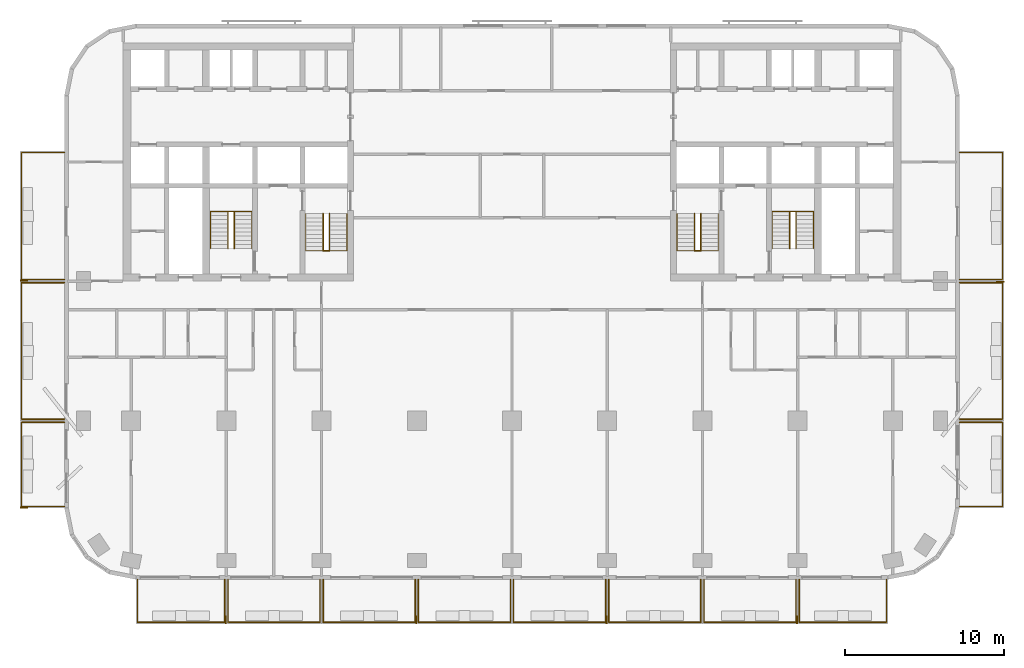
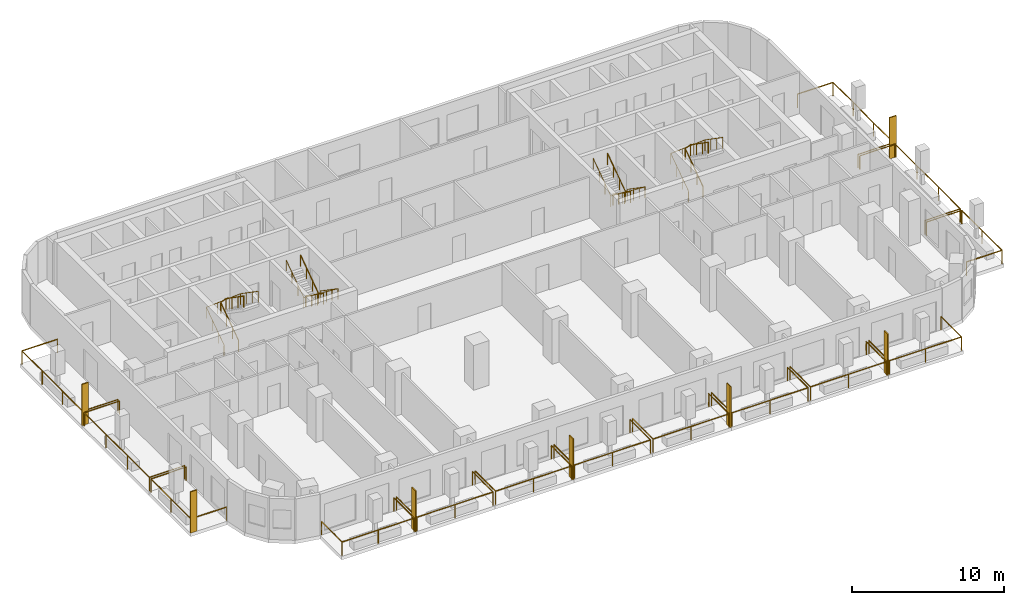
# One storey, part 10 of 12: 22 railings, 7 shading devices.
"""IFC4 building model written with IfcOpenShell, lengths in metres."""

import ifcopenshell
import ifcopenshell.guid

model = None  # the IFC model being written
_history = None  # IfcOwnerHistory: only IFC2X3 demands one
_inside = {}  # id of a spatial element -> (the spatial element, [elements in it])
_under = {}  # id of a project, library or spatial element -> (it, [spatial elements below it])
_declared = {}  # id of a project -> (the project, [libraries it declares])
_typed = {}  # id of a type object -> (the type object, [elements of that type])
_made_of = {}  # id of a material, layer set ... -> (it, [elements and type objects made of it])


def new_model(schema):
    """Start an empty IFC model of exactly this schema.

    Asked for "IFC4X3", IfcOpenShell would pick the latest addendum, in which some entities
    have other attributes; the version numbers below select the first issue.
    IFC2X3 requires an IfcOwnerHistory on every rooted entity: one is made here for all.
    """
    global model, _history
    if schema == "IFC4X3":
        model = ifcopenshell.file(schema_version=(4, 3, 0, 0))
    else:
        model = ifcopenshell.file(schema=schema)
    _inside.clear()
    _under.clear()
    _declared.clear()
    _typed.clear()
    _made_of.clear()
    _history = None
    if model.schema == "IFC2X3":
        org = make("IfcOrganization", Name="unknown")
        user = make(
            "IfcPersonAndOrganization",
            ThePerson=make("IfcPerson", FamilyName="unknown"),
            TheOrganization=org,
        )
        app = make(
            "IfcApplication",
            ApplicationDeveloper=org,
            Version="unknown",
            ApplicationFullName="unknown",
            ApplicationIdentifier="unknown",
        )
        _history = make(
            "IfcOwnerHistory",
            OwningUser=user,
            OwningApplication=app,
            ChangeAction="ADDED",
            CreationDate=0,
        )
    return model


def make(cls, **values):
    """One entity of the class cls with the attributes given. An attribute that is None is left unset."""
    return model.create_entity(
        cls, **{name: value for name, value in values.items() if value is not None}
    )


def rooted(cls, **values):
    """An entity with a GlobalId (a new one), such as an element, a storey or a relation."""
    return make(cls, GlobalId=ifcopenshell.guid.new(), OwnerHistory=_history, **values)


def si_unit(unit_type, name, prefix=None):
    """IfcSIUnit, for example si_unit("LENGTHUNIT", "METRE", prefix="MILLI")."""
    return make("IfcSIUnit", UnitType=unit_type, Prefix=prefix, Name=name)


def assignment(units):
    """IfcUnitAssignment: the units of a project."""
    return None if units is None else make("IfcUnitAssignment", Units=units)


def point(xyz):
    """IfcCartesianPoint."""
    return None if xyz is None else make("IfcCartesianPoint", Coordinates=xyz)


def direction(xyz):
    """IfcDirection."""
    return None if xyz is None else make("IfcDirection", DirectionRatios=xyz)


def frame(location, z_axis=None, x_axis=None):
    """IfcAxis2Placement3D, a coordinate frame: its origin and axes. An axis left out is left unset."""
    return make(
        "IfcAxis2Placement3D",
        Location=point(location),
        Axis=direction(z_axis),
        RefDirection=direction(x_axis),
    )


def frame_2d(location, x_axis=None):
    """IfcAxis2Placement2D, a coordinate frame in the plane: its origin and x axis."""
    return make(
        "IfcAxis2Placement2D", Location=point(location), RefDirection=direction(x_axis)
    )


def origin():
    """The frame at (0, 0, 0) with its axes left unset."""
    return frame((0.0, 0.0, 0.0))


def origin_2d():
    """The frame at (0, 0) in the plane with its x axis left unset."""
    return frame_2d((0.0, 0.0))


def place(relative_to, where):
    """IfcLocalPlacement: puts the frame where relative to a parent placement (None: the world)."""
    return make(
        "IfcLocalPlacement", PlacementRelTo=relative_to, RelativePlacement=where
    )


def context(
    kind, dimensions, precision=None, world=None, true_north=None, identifier=None
):
    """IfcGeometricRepresentationContext, for example the 3D "Model" context."""
    return make(
        "IfcGeometricRepresentationContext",
        ContextIdentifier=identifier,
        ContextType=kind,
        CoordinateSpaceDimension=dimensions,
        Precision=precision,
        WorldCoordinateSystem=world,
        TrueNorth=true_north,
    )


def subcontext(parent, identifier, kind, view, scale=None):
    """IfcGeometricRepresentationSubContext, for example "Body" below "Model"."""
    return make(
        "IfcGeometricRepresentationSubContext",
        ContextIdentifier=identifier,
        ContextType=kind,
        ParentContext=parent,
        TargetScale=scale,
        TargetView=view,
    )


def project(units=None, contexts=None):
    """IfcProject with its units and contexts."""
    return rooted(
        "IfcProject",
        Name="project",
        RepresentationContexts=contexts,
        UnitsInContext=assignment(units),
    )


def spatial(cls, under=None, at=None, **own):
    """A site, building, storey or space (cls), placed at a placement, below another one or the project."""
    s = rooted(cls, ObjectPlacement=at, **own)
    if under is not None:
        _under.setdefault(under.id(), (under, []))[1].append(s)
    return s


def profile(cls, at=None, kind="AREA", **sizes):
    """A parametric profile (cls). Its sizes go by their IFC names, for example OverallWidth=200.0."""
    return make(cls, ProfileType=kind, Position=at, **sizes)


def rectangle(**sizes):
    """IfcRectangleProfileDef."""
    return profile("IfcRectangleProfileDef", **sizes)


def circle(**sizes):
    """IfcCircleProfileDef."""
    return profile("IfcCircleProfileDef", **sizes)


def extrude(swept, where, along, depth):
    """IfcExtrudedAreaSolid: the profile swept, set in the frame where, extruded along a direction by depth."""
    return make(
        "IfcExtrudedAreaSolid",
        SweptArea=swept,
        Position=where,
        ExtrudedDirection=direction(along),
        Depth=depth,
    )


def shape(context_of_items, identifier, shape_type, items):
    """IfcShapeRepresentation: the items that make up one representation, for example the "Body"."""
    return make(
        "IfcShapeRepresentation",
        ContextOfItems=context_of_items,
        RepresentationIdentifier=identifier,
        RepresentationType=shape_type,
        Items=items,
    )


def material(Name=None, Category=None):
    """IfcMaterial."""
    return make("IfcMaterial", Name=Name, Category=Category)


def layer(
    of_material, thickness, ventilated=None, Name=None, Category=None, Priority=None
):
    """IfcMaterialLayer: one layer of a wall or slab, of a material (None: an air gap)."""
    return make(
        "IfcMaterialLayer",
        Material=of_material,
        LayerThickness=thickness,
        IsVentilated=ventilated,
        Name=Name,
        Category=Category,
        Priority=Priority,
    )


def layer_set(layers, Name=None):
    """IfcMaterialLayerSet."""
    return make("IfcMaterialLayerSet", MaterialLayers=layers, LayerSetName=Name)


def made_of(thing, what):
    """Note that an element or type object is made of a material, layer set ...; save() writes the relation."""
    if what is not None:
        _made_of.setdefault(what.id(), (what, []))[1].append(thing)
    return thing


def type_object(cls, material=None, **own):
    """A type object (cls), such as IfcWallType, which elements share."""
    return made_of(rooted(cls, **own), material)


def element(
    cls,
    number,
    at=None,
    inside=None,
    cuts=None,
    type_object=None,
    material=None,
    context=None,
    identifier="Body",
    shape_type=None,
    held_by="IfcProductDefinitionShape",
    body=None,
    shapes=None,
    **own,
):
    """One element of the class cls, such as IfcWall. Its Tag is "e" and its number.

    at: its placement. inside: the storey or other place that contains it. cuts: it is an
    opening in that element (IfcRelVoidsElement). A single representation is given by context,
    identifier, shape_type and body (its items); several are given by shapes. held_by: the class
    of the entity that holds the representations. save() writes the other relations.
    """
    e = rooted(cls, Tag="e%d" % number, ObjectPlacement=at, **own)
    if body is not None:
        shapes = [shape(context, identifier, shape_type, body)]
    if shapes is not None:
        e.Representation = make(held_by, Representations=shapes)
    if inside is not None:
        _inside.setdefault(inside.id(), (inside, []))[1].append(e)
    if cuts is not None:
        rooted(
            "IfcRelVoidsElement", RelatingBuildingElement=cuts, RelatedOpeningElement=e
        )
    if type_object is not None:
        _typed.setdefault(type_object.id(), (type_object, []))[1].append(e)
    return made_of(e, material)


def aggregate(whole, parts):
    """IfcRelAggregates: a whole, such as a stair, and the parts it consists of."""
    return rooted("IfcRelAggregates", RelatingObject=whole, RelatedObjects=parts)


def save(model, path):
    """Write the relations noted so far, then the file.

    IfcRelAggregates (storeys below a building ...), IfcRelContainedInSpatialStructure (elements
    in a storey), IfcRelDefinesByType, IfcRelAssociatesMaterial and IfcRelDeclares: one each for
    every whole, place, type object, material and project.
    """
    for whole, parts in _under.values():
        aggregate(whole, parts)
    for where, things in _inside.values():
        rooted(
            "IfcRelContainedInSpatialStructure",
            RelatedElements=things,
            RelatingStructure=where,
        )
    for kind, things in _typed.values():
        rooted("IfcRelDefinesByType", RelatedObjects=things, RelatingType=kind)
    for what, things in _made_of.values():
        rooted("IfcRelAssociatesMaterial", RelatedObjects=things, RelatingMaterial=what)
    for by, libraries in _declared.values():
        rooted("IfcRelDeclares", RelatingContext=by, RelatedDefinitions=libraries)
    model.write(path)


model = new_model("IFC4")

# Units and contexts
model_context = context("Model", 3, precision=1e-05, world=origin(), true_north=direction((0.0, 1.0)))
body_context = subcontext(model_context, "Body", "Model", "MODEL_VIEW")
ifc_project = project(units=[si_unit("LENGTHUNIT", "METRE"), si_unit("AREAUNIT", "SQUARE_METRE"), si_unit("VOLUMEUNIT", "CUBIC_METRE"), si_unit("PLANEANGLEUNIT", "RADIAN"), si_unit("MASSUNIT", "GRAM", prefix="KILO")], contexts=[model_context])

# Site, building, storey
site_placement = place(None, origin())
site = spatial("IfcSite", under=ifc_project, at=site_placement, CompositionType="ELEMENT")
building_placement = place(site_placement, origin())
building = spatial("IfcBuilding", under=site, at=building_placement, Name="Torana Hotel and Residences", CompositionType="ELEMENT")
storey_placement = place(building_placement, frame((0.0, 0.0, 112.800048828125)))
storey = spatial("IfcBuildingStorey", under=building, at=storey_placement, Name="L28", CompositionType="ELEMENT", Elevation=112.800048828125)

# Shading devices
ifc_material_1 = material(Name="Black powder coated aluminium", Category="aluminium")
ifc_layer = layer(ifc_material_1, 0.080078125)
ifc_layer_set = layer_set([ifc_layer], Name="FN1 VERTICAL FIN 500x80")
shading_device_type = type_object("IfcShadingDeviceType", Name="FN1 VERTICAL FIN 500x80", PredefinedType="USERDEFINED", material=ifc_layer_set)
for number, where, z_axis, x_axis, name in (
    (1, (-18.0400390625, -36.35009765625, 0.0), (0.0, 0.0, 1.0), (-1.0, 0.0, 0.0), "Fin 01"),
    (2, (-6.0400390625, -36.35009765625, 0.0), (0.0, 0.0, 1.0), (-1.0, 0.0, 0.0), "Fin 03"),
    (3, (5.9599609375, -36.35009765625, 0.0), (0.0, 0.0, 1.0), (-1.0, 0.0, 0.0), "Fin 05"),
    (4, (17.9599609375, -36.35009765625, 0.0), (0.0, 0.0, 1.0), (-1.0, 0.0, 0.0), "Fin 07"),
    (5, (-30.75, -29.260009765625, 0.0), (0.0, 0.0, 1.0), (0.0, 1.0, 0.0), "Fin 09"),
    (6, (-30.75, -14.9599609375, 0.0), (0.0, 0.0, 1.0), (0.0, 1.0, 0.0), "Fin 11"),
    (7, (30.75, -15.0400390625, 0.0), (0.0, 0.0, 1.0), (0.0, -1.0, 0.0), "Fin 13"),
):
    element("IfcShadingDevice", number, at=place(storey_placement, frame(where, z_axis=z_axis, x_axis=x_axis)), inside=storey, type_object=shading_device_type, Name=name, ObjectType="FIN", PredefinedType="USERDEFINED", context=body_context, shape_type="SweptSolid", body=[
        extrude(rectangle(XDim=0.080078125, YDim=0.5, at=origin_2d()), origin(), (0.0, 0.0, 1.0), 3.320068359375),
    ])

# Railings
ifc_material_2 = material(Name="Laminated glass balustrade with black handrail", Category="glass")
railing_type_1 = type_object("IfcRailingType", Name="GR1 BALCONY GUARD 1100 GLASS", PredefinedType="GUARDRAIL", material=ifc_material_2)
railing_1_placement = place(storey_placement, frame((-18.10009765625, -33.800048828125, 0.0)))
element("IfcRailing", 8, at=railing_1_placement, inside=storey, type_object=railing_type_1, Name="Balcony guard 01", PredefinedType="GUARDRAIL", context=body_context, shape_type="SweptSolid", body=[
    extrude(circle(Radius=0.02392578125, at=origin_2d()), frame((0.0, 0.0, 1.076171875), z_axis=(0.0, -1.0, 0.0), x_axis=(1.0, 0.0, 0.0)), (0.0, 0.0, 1.0), 2.699951171875),
    extrude(circle(Radius=0.02392578125, at=origin_2d()), frame((0.0, -2.699951171875, 1.076171875), z_axis=(-1.0, 0.0, 0.0), x_axis=(0.0, -1.0, 0.0)), (0.0, 0.0, 1.0), 5.5),
    extrude(circle(Radius=0.02392578125, at=origin_2d()), frame((-5.5, -2.699951171875, 1.076171875), z_axis=(0.0, 1.0, 0.0), x_axis=(-1.0, 0.0, 0.0)), (0.0, 0.0, 1.0), 2.699951171875),
    extrude(circle(Radius=0.02099609375, at=origin_2d()), origin(), (0.0, 0.0, 1.0), 1.052001953125),
    extrude(circle(Radius=0.02099609375, at=origin_2d()), frame((0.0, -2.699951171875, 0.0)), (0.0, 0.0, 1.0), 1.052001953125),
    extrude(circle(Radius=0.02099609375, at=origin_2d()), frame((-2.75, -2.699951171875, 0.0)), (0.0, 0.0, 1.0), 1.052001953125),
    extrude(circle(Radius=0.02099609375, at=origin_2d()), frame((-5.5, -2.699951171875, 0.0)), (0.0, 0.0, 1.0), 1.052001953125),
    extrude(circle(Radius=0.02099609375, at=origin_2d()), frame((-5.5, 0.0, 0.0)), (0.0, 0.0, 1.0), 1.052001953125),
])
for number, where, name in (
    (9, (-12.10009765625, -33.800048828125, 0.0), "Balcony guard 02"),
    (10, (-6.10009765625, -33.800048828125, 0.0), "Balcony guard 03"),
    (11, (-0.10009765625, -33.800048828125, 0.0), "Balcony guard 04"),
    (12, (5.89990234375, -33.800048828125, 0.0), "Balcony guard 05"),
    (13, (11.89990234375, -33.800048828125, 0.0), "Balcony guard 06"),
    (14, (17.89990234375, -33.800048828125, 0.0), "Balcony guard 07"),
):
    element("IfcRailing", number, at=place(storey_placement, frame(where)), inside=storey, type_object=railing_type_1, Name=name, PredefinedType="GUARDRAIL", context=body_context, shape_type="SweptSolid", body=[
        extrude(circle(Radius=0.02392578125, at=origin_2d()), frame((0.0, 0.0, 1.076171875), z_axis=(0.0, -1.0, 0.0), x_axis=(1.0, 0.0, 0.0)), (0.0, 0.0, 1.0), 2.699951171875),
        extrude(circle(Radius=0.02392578125, at=origin_2d()), frame((0.0, -2.699951171875, 1.076171875), z_axis=(-1.0, 0.0, 0.0), x_axis=(0.0, -1.0, 0.0)), (0.0, 0.0, 1.0), 5.7998046875),
        extrude(circle(Radius=0.02392578125, at=origin_2d()), frame((-5.7998046875, -2.699951171875, 1.076171875), z_axis=(0.0, 1.0, 0.0), x_axis=(-1.0, 0.0, 0.0)), (0.0, 0.0, 1.0), 2.699951171875),
        extrude(circle(Radius=0.02099609375, at=origin_2d()), origin(), (0.0, 0.0, 1.0), 1.052001953125),
        extrude(circle(Radius=0.02099609375, at=origin_2d()), frame((0.0, -2.699951171875, 0.0)), (0.0, 0.0, 1.0), 1.052001953125),
        extrude(circle(Radius=0.02099609375, at=origin_2d()), frame((-2.89990234375, -2.699951171875, 0.0)), (0.0, 0.0, 1.0), 1.052001953125),
        extrude(circle(Radius=0.02099609375, at=origin_2d()), frame((-5.7998046875, -2.699951171875, 0.0)), (0.0, 0.0, 1.0), 1.052001953125),
        extrude(circle(Radius=0.02099609375, at=origin_2d()), frame((-5.7998046875, 0.0, 0.0)), (0.0, 0.0, 1.0), 1.052001953125),
    ])
railing_2_placement = place(storey_placement, frame((23.60009765625, -33.800048828125, 0.0)))
element("IfcRailing", 15, at=railing_2_placement, inside=storey, type_object=railing_type_1, Name="Balcony guard 08", PredefinedType="GUARDRAIL", context=body_context, shape_type="SweptSolid", body=[
    extrude(circle(Radius=0.02392578125, at=origin_2d()), frame((0.0, 0.0, 1.076171875), z_axis=(0.0, -1.0, 0.0), x_axis=(1.0, 0.0, 0.0)), (0.0, 0.0, 1.0), 2.699951171875),
    extrude(circle(Radius=0.02392578125, at=origin_2d()), frame((0.0, -2.699951171875, 1.076171875), z_axis=(-1.0, 0.0, 0.0), x_axis=(0.0, -1.0, 0.0)), (0.0, 0.0, 1.0), 5.5),
    extrude(circle(Radius=0.02392578125, at=origin_2d()), frame((-5.5, -2.699951171875, 1.076171875), z_axis=(0.0, 1.0, 0.0), x_axis=(-1.0, 0.0, 0.0)), (0.0, 0.0, 1.0), 2.699951171875),
    extrude(circle(Radius=0.02099609375, at=origin_2d()), origin(), (0.0, 0.0, 1.0), 1.052001953125),
    extrude(circle(Radius=0.02099609375, at=origin_2d()), frame((0.0, -2.699951171875, 0.0)), (0.0, 0.0, 1.0), 1.052001953125),
    extrude(circle(Radius=0.02099609375, at=origin_2d()), frame((-2.75, -2.699951171875, 0.0)), (0.0, 0.0, 1.0), 1.052001953125),
    extrude(circle(Radius=0.02099609375, at=origin_2d()), frame((-5.5, -2.699951171875, 0.0)), (0.0, 0.0, 1.0), 1.052001953125),
    extrude(circle(Radius=0.02099609375, at=origin_2d()), frame((-5.5, 0.0, 0.0)), (0.0, 0.0, 1.0), 1.052001953125),
])
railing_3_placement = place(storey_placement, frame((-28.199951171875, -29.199951171875, 0.0)))
element("IfcRailing", 16, at=railing_3_placement, inside=storey, type_object=railing_type_1, Name="Balcony guard 09", PredefinedType="GUARDRAIL", context=body_context, shape_type="SweptSolid", body=[
    extrude(circle(Radius=0.02392578125, at=origin_2d()), frame((0.0, 0.0, 1.076171875), z_axis=(-1.0, 0.0, 0.0), x_axis=(0.0, -1.0, 0.0)), (0.0, 0.0, 1.0), 2.699951171875),
    extrude(circle(Radius=0.02392578125, at=origin_2d()), frame((-2.699951171875, 0.0, 1.076171875), z_axis=(0.0, 1.0, 0.0), x_axis=(-1.0, 0.0, 0.0)), (0.0, 0.0, 1.0), 5.300048828125),
    extrude(circle(Radius=0.02392578125, at=origin_2d()), frame((-2.699951171875, 5.300048828125, 1.076171875), z_axis=(1.0, 0.0, 0.0), x_axis=(0.0, 1.0, 0.0)), (0.0, 0.0, 1.0), 2.699951171875),
    extrude(circle(Radius=0.02099609375, at=origin_2d()), origin(), (0.0, 0.0, 1.0), 1.052001953125),
    extrude(circle(Radius=0.02099609375, at=origin_2d()), frame((-2.699951171875, 0.0, 0.0)), (0.0, 0.0, 1.0), 1.052001953125),
    extrude(circle(Radius=0.02099609375, at=origin_2d()), frame((-2.699951171875, 2.64990234375, 0.0)), (0.0, 0.0, 1.0), 1.052001953125),
    extrude(circle(Radius=0.02099609375, at=origin_2d()), frame((-2.699951171875, 5.300048828125, 0.0)), (0.0, 0.0, 1.0), 1.052001953125),
    extrude(circle(Radius=0.02099609375, at=origin_2d()), frame((0.0, 5.300048828125, 0.0)), (0.0, 0.0, 1.0), 1.052001953125),
])
railing_4_placement = place(storey_placement, frame((-28.199951171875, -23.699951171875, 0.0)))
element("IfcRailing", 17, at=railing_4_placement, inside=storey, type_object=railing_type_1, Name="Balcony guard 10", PredefinedType="GUARDRAIL", context=body_context, shape_type="SweptSolid", body=[
    extrude(circle(Radius=0.02392578125, at=origin_2d()), frame((0.0, 0.0, 1.076171875), z_axis=(-1.0, 0.0, 0.0), x_axis=(0.0, -1.0, 0.0)), (0.0, 0.0, 1.0), 2.699951171875),
    extrude(circle(Radius=0.02392578125, at=origin_2d()), frame((-2.699951171875, 0.0, 1.076171875), z_axis=(0.0, 1.0, 0.0), x_axis=(-1.0, 0.0, 0.0)), (0.0, 0.0, 1.0), 8.599853515625),
    extrude(circle(Radius=0.02392578125, at=origin_2d()), frame((-2.699951171875, 8.599853515625, 1.076171875), z_axis=(1.0, 0.0, 0.0), x_axis=(0.0, 1.0, 0.0)), (0.0, 0.0, 1.0), 2.699951171875),
    extrude(circle(Radius=0.02099609375, at=origin_2d()), origin(), (0.0, 0.0, 1.0), 1.052001953125),
    extrude(circle(Radius=0.02099609375, at=origin_2d()), frame((-2.699951171875, 0.0, 0.0)), (0.0, 0.0, 1.0), 1.052001953125),
    extrude(circle(Radius=0.02099609375, at=origin_2d()), frame((-2.699951171875, 2.86669921875, 0.0)), (0.0, 0.0, 1.0), 1.052001953125),
    extrude(circle(Radius=0.02099609375, at=origin_2d()), frame((-2.699951171875, 5.733154296875, 0.0)), (0.0, 0.0, 1.0), 1.052001953125),
    extrude(circle(Radius=0.02099609375, at=origin_2d()), frame((-2.699951171875, 8.599853515625, 0.0)), (0.0, 0.0, 1.0), 1.052001953125),
    extrude(circle(Radius=0.02099609375, at=origin_2d()), frame((0.0, 8.599853515625, 0.0)), (0.0, 0.0, 1.0), 1.052001953125),
])
railing_5_placement = place(storey_placement, frame((-28.199951171875, -14.89990234375, 0.0)))
element("IfcRailing", 18, at=railing_5_placement, inside=storey, type_object=railing_type_1, Name="Balcony guard 11", PredefinedType="GUARDRAIL", context=body_context, shape_type="SweptSolid", body=[
    extrude(circle(Radius=0.02392578125, at=origin_2d()), frame((0.0, 0.0, 1.076171875), z_axis=(-1.0, 0.0, 0.0), x_axis=(0.0, -1.0, 0.0)), (0.0, 0.0, 1.0), 2.699951171875),
    extrude(circle(Radius=0.02392578125, at=origin_2d()), frame((-2.699951171875, 0.0, 1.076171875), z_axis=(0.0, 1.0, 0.0), x_axis=(-1.0, 0.0, 0.0)), (0.0, 0.0, 1.0), 8.0),
    extrude(circle(Radius=0.02392578125, at=origin_2d()), frame((-2.699951171875, 8.0, 1.076171875), z_axis=(1.0, 0.0, 0.0), x_axis=(0.0, 1.0, 0.0)), (0.0, 0.0, 1.0), 2.699951171875),
    extrude(circle(Radius=0.02099609375, at=origin_2d()), origin(), (0.0, 0.0, 1.0), 1.052001953125),
    extrude(circle(Radius=0.02099609375, at=origin_2d()), frame((-2.699951171875, 0.0, 0.0)), (0.0, 0.0, 1.0), 1.052001953125),
    extrude(circle(Radius=0.02099609375, at=origin_2d()), frame((-2.699951171875, 2.666748046875, 0.0)), (0.0, 0.0, 1.0), 1.052001953125),
    extrude(circle(Radius=0.02099609375, at=origin_2d()), frame((-2.699951171875, 5.333251953125, 0.0)), (0.0, 0.0, 1.0), 1.052001953125),
    extrude(circle(Radius=0.02099609375, at=origin_2d()), frame((-2.699951171875, 8.0, 0.0)), (0.0, 0.0, 1.0), 1.052001953125),
    extrude(circle(Radius=0.02099609375, at=origin_2d()), frame((0.0, 8.0, 0.0)), (0.0, 0.0, 1.0), 1.052001953125),
])
railing_6_placement = place(storey_placement, frame((28.199951171875, -23.89990234375, 0.0)))
element("IfcRailing", 19, at=railing_6_placement, inside=storey, type_object=railing_type_1, Name="Balcony guard 12", PredefinedType="GUARDRAIL", context=body_context, shape_type="SweptSolid", body=[
    extrude(circle(Radius=0.02392578125, at=origin_2d()), frame((0.0, 0.0, 1.076171875), z_axis=(1.0, 0.0, 0.0), x_axis=(0.0, 1.0, 0.0)), (0.0, 0.0, 1.0), 2.699951171875),
    extrude(circle(Radius=0.02392578125, at=origin_2d()), frame((2.699951171875, 0.0, 1.076171875), z_axis=(0.0, -1.0, 0.0), x_axis=(1.0, 0.0, 0.0)), (0.0, 0.0, 1.0), 5.300048828125),
    extrude(circle(Radius=0.02392578125, at=origin_2d()), frame((2.699951171875, -5.300048828125, 1.076171875), z_axis=(-1.0, 0.0, 0.0), x_axis=(0.0, -1.0, 0.0)), (0.0, 0.0, 1.0), 2.699951171875),
    extrude(circle(Radius=0.02099609375, at=origin_2d()), origin(), (0.0, 0.0, 1.0), 1.052001953125),
    extrude(circle(Radius=0.02099609375, at=origin_2d()), frame((2.699951171875, 0.0, 0.0)), (0.0, 0.0, 1.0), 1.052001953125),
    extrude(circle(Radius=0.02099609375, at=origin_2d()), frame((2.699951171875, -2.64990234375, 0.0)), (0.0, 0.0, 1.0), 1.052001953125),
    extrude(circle(Radius=0.02099609375, at=origin_2d()), frame((2.699951171875, -5.300048828125, 0.0)), (0.0, 0.0, 1.0), 1.052001953125),
    extrude(circle(Radius=0.02099609375, at=origin_2d()), frame((0.0, -5.300048828125, 0.0)), (0.0, 0.0, 1.0), 1.052001953125),
])
railing_7_placement = place(storey_placement, frame((28.199951171875, -15.10009765625, 0.0)))
element("IfcRailing", 20, at=railing_7_placement, inside=storey, type_object=railing_type_1, Name="Balcony guard 13", PredefinedType="GUARDRAIL", context=body_context, shape_type="SweptSolid", body=[
    extrude(circle(Radius=0.02392578125, at=origin_2d()), frame((0.0, 0.0, 1.076171875), z_axis=(1.0, 0.0, 0.0), x_axis=(0.0, 1.0, 0.0)), (0.0, 0.0, 1.0), 2.699951171875),
    extrude(circle(Radius=0.02392578125, at=origin_2d()), frame((2.699951171875, 0.0, 1.076171875), z_axis=(0.0, -1.0, 0.0), x_axis=(1.0, 0.0, 0.0)), (0.0, 0.0, 1.0), 8.599853515625),
    extrude(circle(Radius=0.02392578125, at=origin_2d()), frame((2.699951171875, -8.599853515625, 1.076171875), z_axis=(-1.0, 0.0, 0.0), x_axis=(0.0, -1.0, 0.0)), (0.0, 0.0, 1.0), 2.699951171875),
    extrude(circle(Radius=0.02099609375, at=origin_2d()), origin(), (0.0, 0.0, 1.0), 1.052001953125),
    extrude(circle(Radius=0.02099609375, at=origin_2d()), frame((2.699951171875, 0.0, 0.0)), (0.0, 0.0, 1.0), 1.052001953125),
    extrude(circle(Radius=0.02099609375, at=origin_2d()), frame((2.699951171875, -2.86669921875, 0.0)), (0.0, 0.0, 1.0), 1.052001953125),
    extrude(circle(Radius=0.02099609375, at=origin_2d()), frame((2.699951171875, -5.733154296875, 0.0)), (0.0, 0.0, 1.0), 1.052001953125),
    extrude(circle(Radius=0.02099609375, at=origin_2d()), frame((2.699951171875, -8.599853515625, 0.0)), (0.0, 0.0, 1.0), 1.052001953125),
    extrude(circle(Radius=0.02099609375, at=origin_2d()), frame((0.0, -8.599853515625, 0.0)), (0.0, 0.0, 1.0), 1.052001953125),
])
railing_8_placement = place(storey_placement, frame((28.199951171875, -6.89990234375, 0.0)))
element("IfcRailing", 21, at=railing_8_placement, inside=storey, type_object=railing_type_1, Name="Balcony guard 14", PredefinedType="GUARDRAIL", context=body_context, shape_type="SweptSolid", body=[
    extrude(circle(Radius=0.02392578125, at=origin_2d()), frame((0.0, 0.0, 1.076171875), z_axis=(1.0, 0.0, 0.0), x_axis=(0.0, 1.0, 0.0)), (0.0, 0.0, 1.0), 2.699951171875),
    extrude(circle(Radius=0.02392578125, at=origin_2d()), frame((2.699951171875, 0.0, 1.076171875), z_axis=(0.0, -1.0, 0.0), x_axis=(1.0, 0.0, 0.0)), (0.0, 0.0, 1.0), 8.0),
    extrude(circle(Radius=0.02392578125, at=origin_2d()), frame((2.699951171875, -8.0, 1.076171875), z_axis=(-1.0, 0.0, 0.0), x_axis=(0.0, -1.0, 0.0)), (0.0, 0.0, 1.0), 2.699951171875),
    extrude(circle(Radius=0.02099609375, at=origin_2d()), origin(), (0.0, 0.0, 1.0), 1.052001953125),
    extrude(circle(Radius=0.02099609375, at=origin_2d()), frame((2.699951171875, 0.0, 0.0)), (0.0, 0.0, 1.0), 1.052001953125),
    extrude(circle(Radius=0.02099609375, at=origin_2d()), frame((2.699951171875, -2.666748046875, 0.0)), (0.0, 0.0, 1.0), 1.052001953125),
    extrude(circle(Radius=0.02099609375, at=origin_2d()), frame((2.699951171875, -5.333251953125, 0.0)), (0.0, 0.0, 1.0), 1.052001953125),
    extrude(circle(Radius=0.02099609375, at=origin_2d()), frame((2.699951171875, -8.0, 0.0)), (0.0, 0.0, 1.0), 1.052001953125),
    extrude(circle(Radius=0.02099609375, at=origin_2d()), frame((0.0, -8.0, 0.0)), (0.0, 0.0, 1.0), 1.052001953125),
])
ifc_material_3 = material(Name="Stainless steel 316", Category="steel")
railing_type_2 = type_object("IfcRailingType", Name="STAIR HANDRAIL HR1 900", PredefinedType="HANDRAIL", material=ifc_material_3)
railing_9_placement = place(storey_placement, frame((-10.39990234375, -10.75, 0.179931640625)))
element("IfcRailing", 22, at=railing_9_placement, inside=storey, type_object=railing_type_2, Name="Handrail ST1 L28 O1", PredefinedType="HANDRAIL", context=body_context, shape_type="SweptSolid", body=[
    extrude(circle(Radius=0.02392578125, at=origin_2d()), frame((0.0, 0.0, 0.8759765625), z_axis=(0.0, -0.822182927502, 0.569223360136), x_axis=(1.0, 0.0, 0.0)), (0.0, 0.0, 1.0), 2.84619140625),
    extrude(circle(Radius=0.02392578125, at=origin_2d()), frame((0.0, -2.340087890625, 2.49609375), z_axis=(-0.997614115953, 0.0, 0.069036770278), x_axis=(0.0, -1.0, 0.0)), (0.0, 0.0, 1.0), 2.606201171875),
    extrude(circle(Radius=0.02392578125, at=origin_2d()), frame((-2.60009765625, -2.340087890625, 2.67578125), z_axis=(0.0, 0.822223072051, 0.569165371211), x_axis=(-1.0, 0.0, 0.0)), (0.0, 0.0, 1.0), 2.845947265625),
    extrude(circle(Radius=0.02099609375, at=origin_2d()), origin(), (0.0, 0.0, 1.0), 0.851806640625),
    extrude(circle(Radius=0.02099609375, at=origin_2d()), frame((0.0, -0.780029296875, 0.5400390625)), (0.0, 0.0, 1.0), 0.851806640625),
    extrude(circle(Radius=0.02099609375, at=origin_2d()), frame((0.0, -1.56005859375, 1.080078125)), (0.0, 0.0, 1.0), 0.851806640625),
    extrude(circle(Radius=0.02099609375, at=origin_2d()), frame((0.0, -2.340087890625, 1.6201171875)), (0.0, 0.0, 1.0), 0.851806640625),
    extrude(circle(Radius=0.02099609375, at=origin_2d()), frame((-0.86669921875, -2.340087890625, 1.68017578125)), (0.0, 0.0, 1.0), 0.851806640625),
    extrude(circle(Radius=0.02099609375, at=origin_2d()), frame((-1.7333984375, -2.340087890625, 1.739990234375)), (0.0, 0.0, 1.0), 0.851806640625),
    extrude(circle(Radius=0.02099609375, at=origin_2d()), frame((-2.60009765625, -2.340087890625, 1.800048828125)), (0.0, 0.0, 1.0), 0.851806640625),
    extrude(circle(Radius=0.02099609375, at=origin_2d()), frame((-2.60009765625, -1.56005859375, 2.340087890625)), (0.0, 0.0, 1.0), 0.851806640625),
    extrude(circle(Radius=0.02099609375, at=origin_2d()), frame((-2.60009765625, -0.780029296875, 2.8798828125)), (0.0, 0.0, 1.0), 0.851806640625),
    extrude(circle(Radius=0.02099609375, at=origin_2d()), frame((-2.60009765625, 0.0, 3.419921875)), (0.0, 0.0, 1.0), 0.851806640625),
])
railing_10_placement = place(storey_placement, frame((-11.5, -10.75, 0.179931640625)))
element("IfcRailing", 23, at=railing_10_placement, inside=storey, type_object=railing_type_2, Name="Handrail ST1 L28 I1", PredefinedType="HANDRAIL", context=body_context, shape_type="SweptSolid", body=[
    extrude(circle(Radius=0.02392578125, at=origin_2d()), frame((0.0, 0.0, 0.8759765625), z_axis=(0.0, -0.822182927502, 0.569223360136), x_axis=(1.0, 0.0, 0.0)), (0.0, 0.0, 1.0), 2.84619140625),
    extrude(circle(Radius=0.02392578125, at=origin_2d()), frame((0.0, -2.340087890625, 2.49609375), z_axis=(-0.911942338396, 0.0, 0.410318378143), x_axis=(0.0, -1.0, 0.0)), (0.0, 0.0, 1.0), 0.4384765625),
    extrude(circle(Radius=0.02392578125, at=origin_2d()), frame((-0.39990234375, -2.340087890625, 2.67578125), z_axis=(0.0, 0.822223072051, 0.569165371211), x_axis=(-1.0, 0.0, 0.0)), (0.0, 0.0, 1.0), 2.845947265625),
    extrude(circle(Radius=0.02099609375, at=origin_2d()), origin(), (0.0, 0.0, 1.0), 0.851806640625),
    extrude(circle(Radius=0.02099609375, at=origin_2d()), frame((0.0, -0.780029296875, 0.5400390625)), (0.0, 0.0, 1.0), 0.851806640625),
    extrude(circle(Radius=0.02099609375, at=origin_2d()), frame((0.0, -1.56005859375, 1.080078125)), (0.0, 0.0, 1.0), 0.851806640625),
    extrude(circle(Radius=0.02099609375, at=origin_2d()), frame((0.0, -2.340087890625, 1.6201171875)), (0.0, 0.0, 1.0), 0.851806640625),
    extrude(circle(Radius=0.02099609375, at=origin_2d()), frame((-0.39990234375, -2.340087890625, 1.800048828125)), (0.0, 0.0, 1.0), 0.851806640625),
    extrude(circle(Radius=0.02099609375, at=origin_2d()), frame((-0.39990234375, -1.56005859375, 2.340087890625)), (0.0, 0.0, 1.0), 0.851806640625),
    extrude(circle(Radius=0.02099609375, at=origin_2d()), frame((-0.39990234375, -0.780029296875, 2.8798828125)), (0.0, 0.0, 1.0), 0.851806640625),
    extrude(circle(Radius=0.02099609375, at=origin_2d()), frame((-0.39990234375, 0.0, 3.419921875)), (0.0, 0.0, 1.0), 0.851806640625),
])
railing_11_placement = place(storey_placement, frame((-19.0, -12.949951171875, 0.179931640625)))
element("IfcRailing", 24, at=railing_11_placement, inside=storey, type_object=railing_type_2, Name="Handrail ST2 L28 O1", PredefinedType="HANDRAIL", context=body_context, shape_type="SweptSolid", body=[
    extrude(circle(Radius=0.02392578125, at=origin_2d()), frame((0.0, 0.0, 0.8759765625), z_axis=(0.0, 0.822155131156, 0.569263506923), x_axis=(-1.0, 0.0, 0.0)), (0.0, 0.0, 1.0), 2.845947265625),
    extrude(circle(Radius=0.02392578125, at=origin_2d()), frame((0.0, 2.33984375, 2.49609375), z_axis=(0.997614115953, 0.0, 0.069036770278), x_axis=(0.0, 1.0, 0.0)), (0.0, 0.0, 1.0), 2.606201171875),
    extrude(circle(Radius=0.02392578125, at=origin_2d()), frame((2.60009765625, 2.33984375, 2.67578125), z_axis=(0.0, -0.822195280011, 0.569205517829), x_axis=(1.0, 0.0, 0.0)), (0.0, 0.0, 1.0), 2.845947265625),
    extrude(circle(Radius=0.02099609375, at=origin_2d()), origin(), (0.0, 0.0, 1.0), 0.851806640625),
    extrude(circle(Radius=0.02099609375, at=origin_2d()), frame((0.0, 0.780029296875, 0.5400390625)), (0.0, 0.0, 1.0), 0.851806640625),
    extrude(circle(Radius=0.02099609375, at=origin_2d()), frame((0.0, 1.559814453125, 1.080078125)), (0.0, 0.0, 1.0), 0.851806640625),
    extrude(circle(Radius=0.02099609375, at=origin_2d()), frame((0.0, 2.33984375, 1.6201171875)), (0.0, 0.0, 1.0), 0.851806640625),
    extrude(circle(Radius=0.02099609375, at=origin_2d()), frame((0.86669921875, 2.33984375, 1.68017578125)), (0.0, 0.0, 1.0), 0.851806640625),
    extrude(circle(Radius=0.02099609375, at=origin_2d()), frame((1.7333984375, 2.33984375, 1.739990234375)), (0.0, 0.0, 1.0), 0.851806640625),
    extrude(circle(Radius=0.02099609375, at=origin_2d()), frame((2.60009765625, 2.33984375, 1.800048828125)), (0.0, 0.0, 1.0), 0.851806640625),
    extrude(circle(Radius=0.02099609375, at=origin_2d()), frame((2.60009765625, 1.559814453125, 2.340087890625)), (0.0, 0.0, 1.0), 0.851806640625),
    extrude(circle(Radius=0.02099609375, at=origin_2d()), frame((2.60009765625, 0.780029296875, 2.8798828125)), (0.0, 0.0, 1.0), 0.851806640625),
    extrude(circle(Radius=0.02099609375, at=origin_2d()), frame((2.60009765625, 0.0, 3.419921875)), (0.0, 0.0, 1.0), 0.851806640625),
])
railing_12_placement = place(storey_placement, frame((-17.89990234375, -12.949951171875, 0.179931640625)))
element("IfcRailing", 25, at=railing_12_placement, inside=storey, type_object=railing_type_2, Name="Handrail ST2 L28 I1", PredefinedType="HANDRAIL", context=body_context, shape_type="SweptSolid", body=[
    extrude(circle(Radius=0.02392578125, at=origin_2d()), frame((0.0, 0.0, 0.8759765625), z_axis=(0.0, 0.822155131156, 0.569263506923), x_axis=(-1.0, 0.0, 0.0)), (0.0, 0.0, 1.0), 2.845947265625),
    extrude(circle(Radius=0.02392578125, at=origin_2d()), frame((0.0, 2.33984375, 2.49609375), z_axis=(0.911942338396, 0.0, 0.410318378143), x_axis=(0.0, 1.0, 0.0)), (0.0, 0.0, 1.0), 0.4384765625),
    extrude(circle(Radius=0.02392578125, at=origin_2d()), frame((0.39990234375, 2.33984375, 2.67578125), z_axis=(0.0, -0.822195280011, 0.569205517829), x_axis=(1.0, 0.0, 0.0)), (0.0, 0.0, 1.0), 2.845947265625),
    extrude(circle(Radius=0.02099609375, at=origin_2d()), origin(), (0.0, 0.0, 1.0), 0.851806640625),
    extrude(circle(Radius=0.02099609375, at=origin_2d()), frame((0.0, 0.780029296875, 0.5400390625)), (0.0, 0.0, 1.0), 0.851806640625),
    extrude(circle(Radius=0.02099609375, at=origin_2d()), frame((0.0, 1.559814453125, 1.080078125)), (0.0, 0.0, 1.0), 0.851806640625),
    extrude(circle(Radius=0.02099609375, at=origin_2d()), frame((0.0, 2.33984375, 1.6201171875)), (0.0, 0.0, 1.0), 0.851806640625),
    extrude(circle(Radius=0.02099609375, at=origin_2d()), frame((0.39990234375, 2.33984375, 1.800048828125)), (0.0, 0.0, 1.0), 0.851806640625),
    extrude(circle(Radius=0.02099609375, at=origin_2d()), frame((0.39990234375, 1.559814453125, 2.340087890625)), (0.0, 0.0, 1.0), 0.851806640625),
    extrude(circle(Radius=0.02099609375, at=origin_2d()), frame((0.39990234375, 0.780029296875, 2.8798828125)), (0.0, 0.0, 1.0), 0.851806640625),
    extrude(circle(Radius=0.02099609375, at=origin_2d()), frame((0.39990234375, 0.0, 3.419921875)), (0.0, 0.0, 1.0), 0.851806640625),
])
railing_13_placement = place(storey_placement, frame((13.0, -10.75, 0.179931640625)))
element("IfcRailing", 26, at=railing_13_placement, inside=storey, type_object=railing_type_2, Name="Handrail ST3 L28 O1", PredefinedType="HANDRAIL", context=body_context, shape_type="SweptSolid", body=[
    extrude(circle(Radius=0.02392578125, at=origin_2d()), frame((0.0, 0.0, 0.8759765625), z_axis=(0.0, -0.822182927502, 0.569223360136), x_axis=(1.0, 0.0, 0.0)), (0.0, 0.0, 1.0), 2.84619140625),
    extrude(circle(Radius=0.02392578125, at=origin_2d()), frame((0.0, -2.340087890625, 2.49609375), z_axis=(-0.997614115953, 0.0, 0.069036770278), x_axis=(0.0, -1.0, 0.0)), (0.0, 0.0, 1.0), 2.606201171875),
    extrude(circle(Radius=0.02392578125, at=origin_2d()), frame((-2.60009765625, -2.340087890625, 2.67578125), z_axis=(0.0, 0.822223072051, 0.569165371211), x_axis=(-1.0, 0.0, 0.0)), (0.0, 0.0, 1.0), 2.845947265625),
    extrude(circle(Radius=0.02099609375, at=origin_2d()), origin(), (0.0, 0.0, 1.0), 0.851806640625),
    extrude(circle(Radius=0.02099609375, at=origin_2d()), frame((0.0, -0.780029296875, 0.5400390625)), (0.0, 0.0, 1.0), 0.851806640625),
    extrude(circle(Radius=0.02099609375, at=origin_2d()), frame((0.0, -1.56005859375, 1.080078125)), (0.0, 0.0, 1.0), 0.851806640625),
    extrude(circle(Radius=0.02099609375, at=origin_2d()), frame((0.0, -2.340087890625, 1.6201171875)), (0.0, 0.0, 1.0), 0.851806640625),
    extrude(circle(Radius=0.02099609375, at=origin_2d()), frame((-0.86669921875, -2.340087890625, 1.68017578125)), (0.0, 0.0, 1.0), 0.851806640625),
    extrude(circle(Radius=0.02099609375, at=origin_2d()), frame((-1.7333984375, -2.340087890625, 1.739990234375)), (0.0, 0.0, 1.0), 0.851806640625),
    extrude(circle(Radius=0.02099609375, at=origin_2d()), frame((-2.60009765625, -2.340087890625, 1.800048828125)), (0.0, 0.0, 1.0), 0.851806640625),
    extrude(circle(Radius=0.02099609375, at=origin_2d()), frame((-2.60009765625, -1.56005859375, 2.340087890625)), (0.0, 0.0, 1.0), 0.851806640625),
    extrude(circle(Radius=0.02099609375, at=origin_2d()), frame((-2.60009765625, -0.780029296875, 2.8798828125)), (0.0, 0.0, 1.0), 0.851806640625),
    extrude(circle(Radius=0.02099609375, at=origin_2d()), frame((-2.60009765625, 0.0, 3.419921875)), (0.0, 0.0, 1.0), 0.851806640625),
])
railing_14_placement = place(storey_placement, frame((11.89990234375, -10.75, 0.179931640625)))
element("IfcRailing", 27, at=railing_14_placement, inside=storey, type_object=railing_type_2, Name="Handrail ST3 L28 I1", PredefinedType="HANDRAIL", context=body_context, shape_type="SweptSolid", body=[
    extrude(circle(Radius=0.02392578125, at=origin_2d()), frame((0.0, 0.0, 0.8759765625), z_axis=(0.0, -0.822182927502, 0.569223360136), x_axis=(1.0, 0.0, 0.0)), (0.0, 0.0, 1.0), 2.84619140625),
    extrude(circle(Radius=0.02392578125, at=origin_2d()), frame((0.0, -2.340087890625, 2.49609375), z_axis=(-0.911942338396, 0.0, 0.410318378143), x_axis=(0.0, -1.0, 0.0)), (0.0, 0.0, 1.0), 0.4384765625),
    extrude(circle(Radius=0.02392578125, at=origin_2d()), frame((-0.39990234375, -2.340087890625, 2.67578125), z_axis=(0.0, 0.822223072051, 0.569165371211), x_axis=(-1.0, 0.0, 0.0)), (0.0, 0.0, 1.0), 2.845947265625),
    extrude(circle(Radius=0.02099609375, at=origin_2d()), origin(), (0.0, 0.0, 1.0), 0.851806640625),
    extrude(circle(Radius=0.02099609375, at=origin_2d()), frame((0.0, -0.780029296875, 0.5400390625)), (0.0, 0.0, 1.0), 0.851806640625),
    extrude(circle(Radius=0.02099609375, at=origin_2d()), frame((0.0, -1.56005859375, 1.080078125)), (0.0, 0.0, 1.0), 0.851806640625),
    extrude(circle(Radius=0.02099609375, at=origin_2d()), frame((0.0, -2.340087890625, 1.6201171875)), (0.0, 0.0, 1.0), 0.851806640625),
    extrude(circle(Radius=0.02099609375, at=origin_2d()), frame((-0.39990234375, -2.340087890625, 1.800048828125)), (0.0, 0.0, 1.0), 0.851806640625),
    extrude(circle(Radius=0.02099609375, at=origin_2d()), frame((-0.39990234375, -1.56005859375, 2.340087890625)), (0.0, 0.0, 1.0), 0.851806640625),
    extrude(circle(Radius=0.02099609375, at=origin_2d()), frame((-0.39990234375, -0.780029296875, 2.8798828125)), (0.0, 0.0, 1.0), 0.851806640625),
    extrude(circle(Radius=0.02099609375, at=origin_2d()), frame((-0.39990234375, 0.0, 3.419921875)), (0.0, 0.0, 1.0), 0.851806640625),
])
railing_15_placement = place(storey_placement, frame((16.39990234375, -12.949951171875, 0.179931640625)))
element("IfcRailing", 28, at=railing_15_placement, inside=storey, type_object=railing_type_2, Name="Handrail ST4 L28 O1", PredefinedType="HANDRAIL", context=body_context, shape_type="SweptSolid", body=[
    extrude(circle(Radius=0.02392578125, at=origin_2d()), frame((0.0, 0.0, 0.8759765625), z_axis=(0.0, 0.822155131156, 0.569263506923), x_axis=(-1.0, 0.0, 0.0)), (0.0, 0.0, 1.0), 2.845947265625),
    extrude(circle(Radius=0.02392578125, at=origin_2d()), frame((0.0, 2.33984375, 2.49609375), z_axis=(0.997614115953, 0.0, 0.069036770278), x_axis=(0.0, 1.0, 0.0)), (0.0, 0.0, 1.0), 2.606201171875),
    extrude(circle(Radius=0.02392578125, at=origin_2d()), frame((2.60009765625, 2.33984375, 2.67578125), z_axis=(0.0, -0.822195280011, 0.569205517829), x_axis=(1.0, 0.0, 0.0)), (0.0, 0.0, 1.0), 2.845947265625),
    extrude(circle(Radius=0.02099609375, at=origin_2d()), origin(), (0.0, 0.0, 1.0), 0.851806640625),
    extrude(circle(Radius=0.02099609375, at=origin_2d()), frame((0.0, 0.780029296875, 0.5400390625)), (0.0, 0.0, 1.0), 0.851806640625),
    extrude(circle(Radius=0.02099609375, at=origin_2d()), frame((0.0, 1.559814453125, 1.080078125)), (0.0, 0.0, 1.0), 0.851806640625),
    extrude(circle(Radius=0.02099609375, at=origin_2d()), frame((0.0, 2.33984375, 1.6201171875)), (0.0, 0.0, 1.0), 0.851806640625),
    extrude(circle(Radius=0.02099609375, at=origin_2d()), frame((0.86669921875, 2.33984375, 1.68017578125)), (0.0, 0.0, 1.0), 0.851806640625),
    extrude(circle(Radius=0.02099609375, at=origin_2d()), frame((1.7333984375, 2.33984375, 1.739990234375)), (0.0, 0.0, 1.0), 0.851806640625),
    extrude(circle(Radius=0.02099609375, at=origin_2d()), frame((2.60009765625, 2.33984375, 1.800048828125)), (0.0, 0.0, 1.0), 0.851806640625),
    extrude(circle(Radius=0.02099609375, at=origin_2d()), frame((2.60009765625, 1.559814453125, 2.340087890625)), (0.0, 0.0, 1.0), 0.851806640625),
    extrude(circle(Radius=0.02099609375, at=origin_2d()), frame((2.60009765625, 0.780029296875, 2.8798828125)), (0.0, 0.0, 1.0), 0.851806640625),
    extrude(circle(Radius=0.02099609375, at=origin_2d()), frame((2.60009765625, 0.0, 3.419921875)), (0.0, 0.0, 1.0), 0.851806640625),
])
railing_16_placement = place(storey_placement, frame((17.5, -12.949951171875, 0.179931640625)))
element("IfcRailing", 29, at=railing_16_placement, inside=storey, type_object=railing_type_2, Name="Handrail ST4 L28 I1", PredefinedType="HANDRAIL", context=body_context, shape_type="SweptSolid", body=[
    extrude(circle(Radius=0.02392578125, at=origin_2d()), frame((0.0, 0.0, 0.8759765625), z_axis=(0.0, 0.822155131156, 0.569263506923), x_axis=(-1.0, 0.0, 0.0)), (0.0, 0.0, 1.0), 2.845947265625),
    extrude(circle(Radius=0.02392578125, at=origin_2d()), frame((0.0, 2.33984375, 2.49609375), z_axis=(0.911942338396, 0.0, 0.410318378143), x_axis=(0.0, 1.0, 0.0)), (0.0, 0.0, 1.0), 0.4384765625),
    extrude(circle(Radius=0.02392578125, at=origin_2d()), frame((0.39990234375, 2.33984375, 2.67578125), z_axis=(0.0, -0.822195280011, 0.569205517829), x_axis=(1.0, 0.0, 0.0)), (0.0, 0.0, 1.0), 2.845947265625),
    extrude(circle(Radius=0.02099609375, at=origin_2d()), origin(), (0.0, 0.0, 1.0), 0.851806640625),
    extrude(circle(Radius=0.02099609375, at=origin_2d()), frame((0.0, 0.780029296875, 0.5400390625)), (0.0, 0.0, 1.0), 0.851806640625),
    extrude(circle(Radius=0.02099609375, at=origin_2d()), frame((0.0, 1.559814453125, 1.080078125)), (0.0, 0.0, 1.0), 0.851806640625),
    extrude(circle(Radius=0.02099609375, at=origin_2d()), frame((0.0, 2.33984375, 1.6201171875)), (0.0, 0.0, 1.0), 0.851806640625),
    extrude(circle(Radius=0.02099609375, at=origin_2d()), frame((0.39990234375, 2.33984375, 1.800048828125)), (0.0, 0.0, 1.0), 0.851806640625),
    extrude(circle(Radius=0.02099609375, at=origin_2d()), frame((0.39990234375, 1.559814453125, 2.340087890625)), (0.0, 0.0, 1.0), 0.851806640625),
    extrude(circle(Radius=0.02099609375, at=origin_2d()), frame((0.39990234375, 0.780029296875, 2.8798828125)), (0.0, 0.0, 1.0), 0.851806640625),
    extrude(circle(Radius=0.02099609375, at=origin_2d()), frame((0.39990234375, 0.0, 3.419921875)), (0.0, 0.0, 1.0), 0.851806640625),
])

save(model, "model.ifc")
